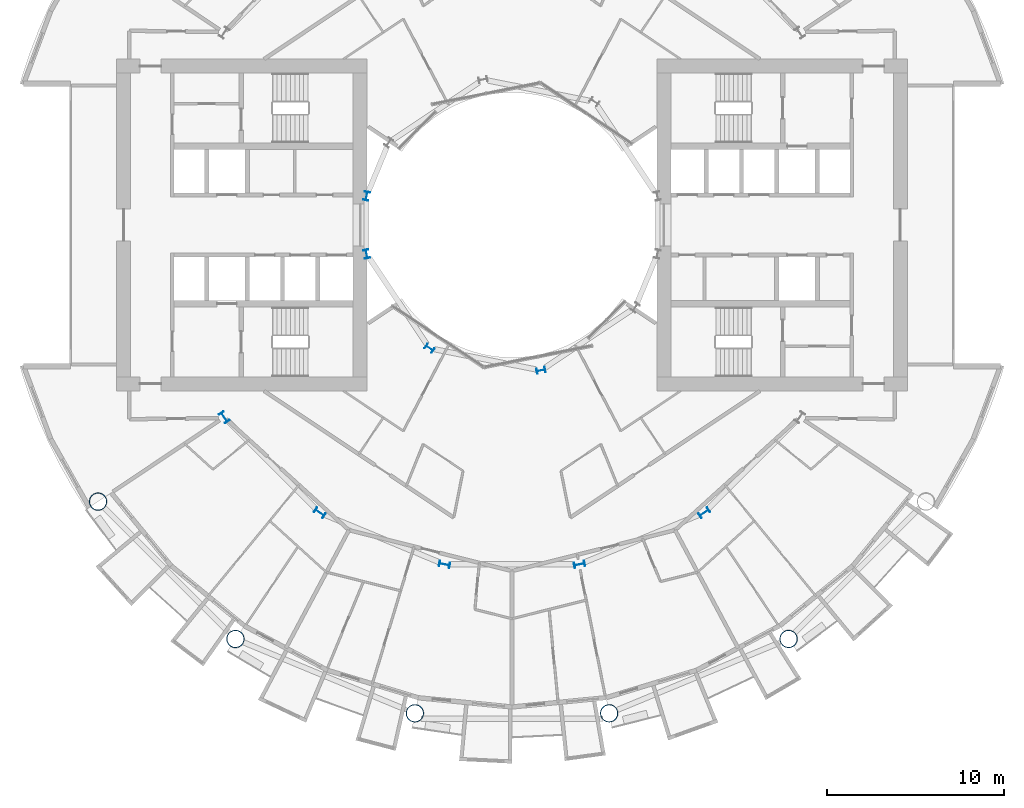
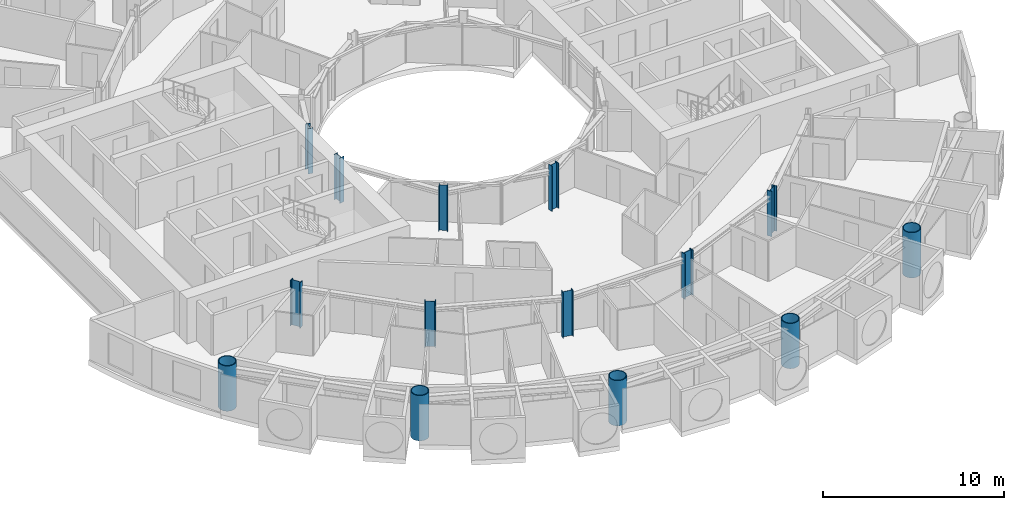
# One storey, part 1 of 26: 14 columns.
"""IFC4 building model written with IfcOpenShell, lengths in metres."""

from ifc_helpers import new_model, si_unit, direction, frame, origin, origin_2d, place, context, subcontext, project, spatial, hollow_circle, i_section, extrude, material, material_profile, profile_set, type_object, element, save


model = new_model("IFC4")

# Units and contexts
model_context = context("Model", 3, precision=1e-05, world=origin(), true_north=direction((0.0, 1.0)))
body_context = subcontext(model_context, "Body", "Model", "MODEL_VIEW")
ifc_project = project(units=[si_unit("LENGTHUNIT", "METRE"), si_unit("AREAUNIT", "SQUARE_METRE"), si_unit("VOLUMEUNIT", "CUBIC_METRE"), si_unit("PLANEANGLEUNIT", "RADIAN"), si_unit("MASSUNIT", "GRAM", prefix="KILO")], contexts=[model_context])

# Site, building, storey
site_placement = place(None, origin())
site = spatial("IfcSite", under=ifc_project, at=site_placement, CompositionType="ELEMENT")
building_placement = place(site_placement, origin())
building = spatial("IfcBuilding", under=site, at=building_placement, Name="Maasbend Ring Residences", CompositionType="ELEMENT")
storey_placement = place(building_placement, frame((0.0, 0.0, 31.949951171875)))
storey = spatial("IfcBuildingStorey", under=building, at=storey_placement, Name="L08", CompositionType="ELEMENT", Elevation=31.949951171875)

# Columns
ifc_material_1 = material(Name="Composite concrete-filled steel tube S460NH / C80/95", Category="concrete")
ifc_material_profile_1 = material_profile(ifc_material_1, hollow_circle(Radius=0.508056640625, WallThickness=0.050048828125, at=origin_2d()), Name="Composite tube column CHS 1016x50")
ifc_profile_set_1 = profile_set([ifc_material_profile_1], Name="Composite concrete-filled steel tube S460NH / C80/95")
column_type_1 = type_object("IfcColumnType", Name="Composite tube column CHS 1016x50", PredefinedType="COLUMN", material=ifc_profile_set_1)
for number, where, z_axis, x_axis, name in (
    (1, (-23.447509765625, -15.6669921875, 0.0), (0.0, 0.0, 1.0), (1.0, 0.0, 0.0), "Outer column R10"),
    (2, (-15.6669921875, -23.447509765625, 0.0), (0.0, 0.0, 1.0), (1.0, 0.0, 0.0), "Outer column R11"),
    (3, (-5.50146484375, -27.658203125, 0.0), (0.0, 0.0, 1.0), (1.0, 0.0, 0.0), "Outer column R12"),
    (4, (5.50146484375, -27.658203125, 0.0), (0.0, 0.0, 1.0), (1.0, 0.0, 0.0), "Outer column R13"),
    (5, (15.6669921875, -23.447509765625, 0.0), (0.0, 0.0, 1.0), (1.0, 0.0, 0.0), "Outer column R14"),
):
    element("IfcColumn", number, at=place(storey_placement, frame(where, z_axis=z_axis, x_axis=x_axis)), inside=storey, type_object=column_type_1, Name=name, PredefinedType="COLUMN", context=body_context, shape_type="SweptSolid", body=[
        extrude(hollow_circle(Radius=0.508056640625, WallThickness=0.050048828125, at=origin_2d()), origin(), (0.0, 0.0, 1.0), 3.050048828125),
    ])
ifc_material_2 = material(Name="Steel S355J2", Category="steel")
ifc_material_profile_2 = material_profile(ifc_material_2, i_section(OverallWidth=0.300048828125, OverallDepth=0.5, WebThickness=0.014404296875, FlangeThickness=0.028076171875, FilletRadius=0.027099609375, at=origin_2d()), Name="HEB 500")
ifc_profile_set_2 = profile_set([ifc_material_profile_2], Name="Steel S355J2")
column_type_2 = type_object("IfcColumnType", Name="Steel column HEB 500", PredefinedType="COLUMN", material=ifc_profile_set_2)
for number, where, z_axis, x_axis, name in (
    (6, (-8.238525390625, 1.638916015625, 0.0), (0.0, 0.0, 1.0), (-0.980785280403, 0.195090322016, 0.0), "Well ring column R8"),
    (7, (-8.238525390625, -1.638916015625, 0.0), (0.0, 0.0, 1.0), (-0.980785280403, -0.195090322016, 0.0), "Well ring column R9"),
    (8, (-4.666748046875, -6.984375, 0.0), (0.0, 0.0, 1.0), (-0.55557023302, -0.831469612303, 0.0), "Well ring column R11"),
    (9, (1.638916015625, -8.238525390625, 0.0), (0.0, 0.0, 1.0), (0.195090322016, -0.980785280403, 0.0), "Well ring column R13"),
):
    element("IfcColumn", number, at=place(storey_placement, frame(where, z_axis=z_axis, x_axis=x_axis)), inside=storey, type_object=column_type_2, Name=name, PredefinedType="COLUMN", context=body_context, shape_type="SweptSolid", body=[
        extrude(i_section(OverallWidth=0.300048828125, OverallDepth=0.5, WebThickness=0.014404296875, FlangeThickness=0.028076171875, FilletRadius=0.027099609375, at=origin_2d()), origin(), (0.0, 0.0, 1.0), 3.050048828125),
    ])
ifc_material_3 = material(Name="Steel S460M", Category="steel")
ifc_material_profile_3 = material_profile(ifc_material_3, i_section(OverallWidth=0.304931640625, OverallDepth=0.6201171875, WebThickness=0.02099609375, FlangeThickness=0.0400390625, FilletRadius=0.027099609375, at=origin_2d()), Name="HEM 600")
ifc_profile_set_3 = profile_set([ifc_material_profile_3], Name="Steel S460M")
column_type_3 = type_object("IfcColumnType", Name="Steel column HEM 600", PredefinedType="COLUMN", material=ifc_profile_set_3)
for number, where, z_axis, x_axis, name in (
    (10, (-16.296875, -10.88916015625, 0.0), (0.0, 0.0, 1.0), (-0.831469612303, -0.55557023302, 0.0), "Corridor ring column R10"),
    (11, (-10.88916015625, -16.296875, 0.0), (0.0, 0.0, 1.0), (-0.55557023302, -0.831469612303, 0.0), "Corridor ring column R11"),
    (12, (-3.82373046875, -19.223388671875, 0.0), (0.0, 0.0, 1.0), (-0.195090322016, -0.980785280403, 0.0), "Corridor ring column R12"),
    (13, (3.82373046875, -19.223388671875, 0.0), (0.0, 0.0, 1.0), (0.195090322016, -0.980785280403, 0.0), "Corridor ring column R13"),
    (14, (10.88916015625, -16.296875, 0.0), (0.0, 0.0, 1.0), (0.55557023302, -0.831469612303, 0.0), "Corridor ring column R14"),
):
    element("IfcColumn", number, at=place(storey_placement, frame(where, z_axis=z_axis, x_axis=x_axis)), inside=storey, type_object=column_type_3, Name=name, PredefinedType="COLUMN", context=body_context, shape_type="SweptSolid", body=[
        extrude(i_section(OverallWidth=0.304931640625, OverallDepth=0.6201171875, WebThickness=0.02099609375, FlangeThickness=0.0400390625, FilletRadius=0.027099609375, at=origin_2d()), origin(), (0.0, 0.0, 1.0), 3.050048828125),
    ])

save(model, "model.ifc")
